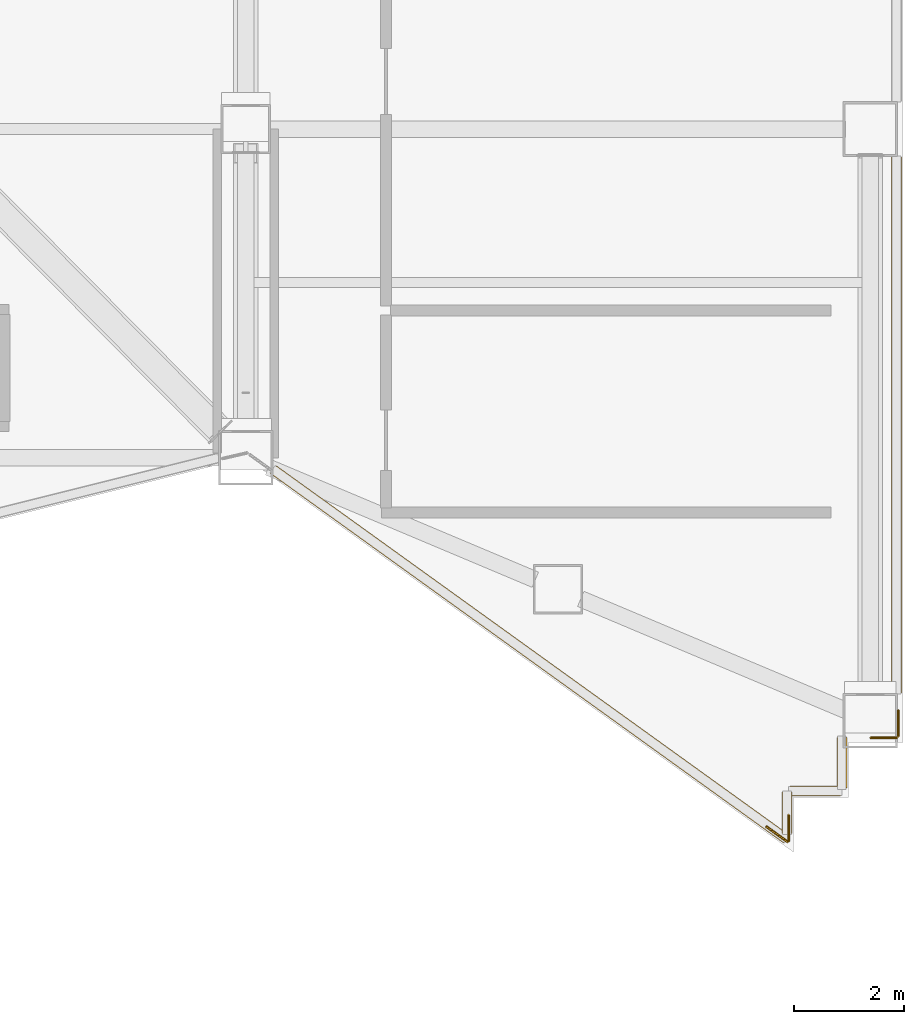
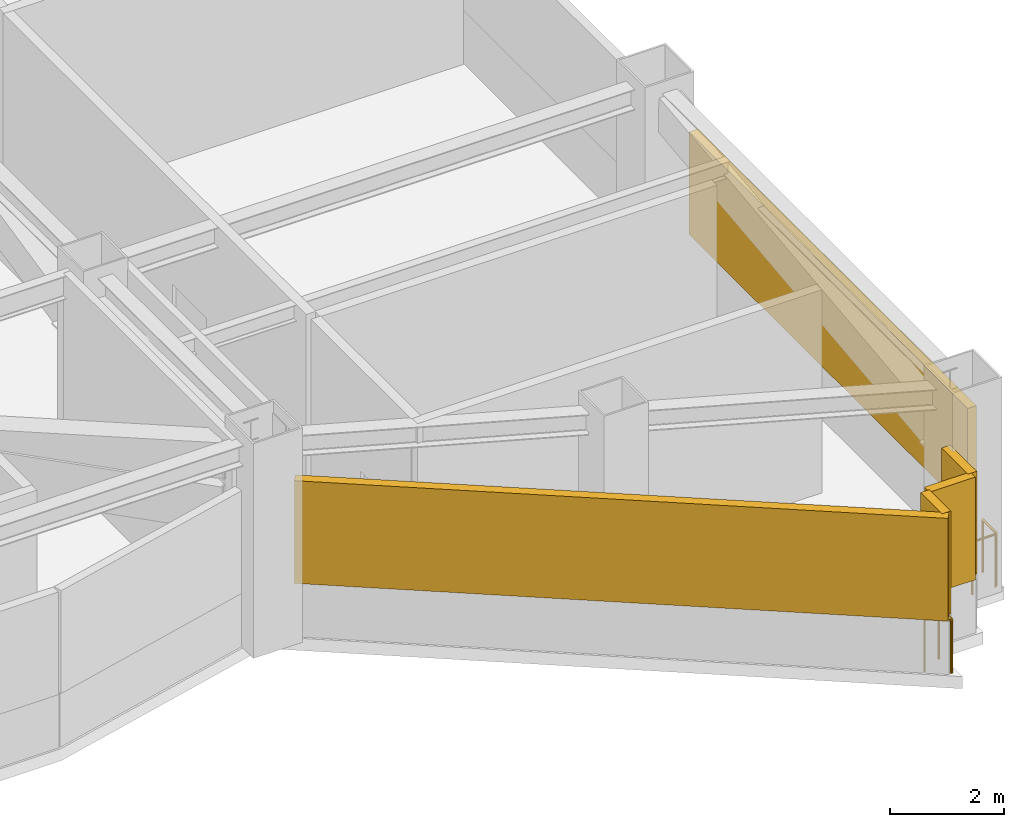
# One storey, part 20 of 24: 5 shading devices, 4 railings.
"""IFC4 building model written with IfcOpenShell, lengths in metres."""

from ifc_helpers import new_model, si_unit, direction, frame, origin, origin_2d, place, context, subcontext, project, spatial, rectangle, circle, extrude, material, type_object, element, save


model = new_model("IFC4")

# Units and contexts
model_context = context("Model", 3, precision=1e-05, world=origin(), true_north=direction((0.0, 1.0)))
body_context = subcontext(model_context, "Body", "Model", "MODEL_VIEW")
ifc_project = project(units=[si_unit("LENGTHUNIT", "METRE"), si_unit("AREAUNIT", "SQUARE_METRE"), si_unit("VOLUMEUNIT", "CUBIC_METRE"), si_unit("PLANEANGLEUNIT", "RADIAN"), si_unit("MASSUNIT", "GRAM", prefix="KILO")], contexts=[model_context])

# Site, building, storey
site_placement = place(None, origin())
site = spatial("IfcSite", under=ifc_project, at=site_placement, CompositionType="ELEMENT")
building_placement = place(site_placement, origin())
building = spatial("IfcBuilding", under=site, at=building_placement, Name="Haolan Belvedere Tower", CompositionType="ELEMENT")
storey_placement = place(building_placement, frame((0.0, 0.0, 160.0)))
storey = spatial("IfcBuildingStorey", under=building, at=storey_placement, Name="L40", CompositionType="ELEMENT", Elevation=160.0)

# Railings
ifc_material_1 = material(Name="Galvanised powder-coated steel guardrail", Category="steel")
railing_type = type_object("IfcRailingType", Name="RL-REF-GRD-1150", PredefinedType="GUARDRAIL", material=ifc_material_1)
railing_1_placement = place(storey_placement, frame((62.7099609375, 15.07568359375, 0.0)))
element("IfcRailing", 1, at=railing_1_placement, inside=storey, type_object=railing_type, Name="L40 refuge corner safety guardrail 4A", PredefinedType="GUARDRAIL", context=body_context, shape_type="SweptSolid", body=[
    extrude(circle(Radius=0.02392578125, at=origin_2d()), frame((0.0, 0.0, 1.1259765625), z_axis=(0.0, -1.0, 0.0), x_axis=(1.0, 0.0, 0.0)), (0.0, 0.0, 1.0), 0.469970703125),
    extrude(circle(Radius=0.02099609375, at=origin_2d()), origin(), (0.0, 0.0, 1.0), 1.101806640625),
    extrude(circle(Radius=0.02099609375, at=origin_2d()), frame((0.0, -0.469970703125, 0.0)), (0.0, 0.0, 1.0), 1.101806640625),
])
railing_2_placement = place(storey_placement, frame((62.685791015625, 14.59326171875, 0.0)))
element("IfcRailing", 2, at=railing_2_placement, inside=storey, type_object=railing_type, Name="L40 refuge corner safety guardrail 4B", PredefinedType="GUARDRAIL", context=body_context, shape_type="SweptSolid", body=[
    extrude(circle(Radius=0.02392578125, at=origin_2d()), frame((0.0, 0.0, 1.1259765625), z_axis=(-0.811622975054, 0.584181603925, 0.0), x_axis=(-0.584181603925, -0.811622975054, 0.0)), (0.0, 0.0, 1.0), 0.47021484375),
    extrude(circle(Radius=0.02099609375, at=origin_2d()), origin(), (0.0, 0.0, 1.0), 1.101806640625),
    extrude(circle(Radius=0.02099609375, at=origin_2d()), frame((-0.381591796875, 0.274658203125, 0.0)), (0.0, 0.0, 1.0), 1.101806640625),
])
railing_3_placement = place(storey_placement, frame((64.7099609375, 16.989990234375, 0.0)))
element("IfcRailing", 3, at=railing_3_placement, inside=storey, type_object=railing_type, Name="L40 refuge corner safety guardrail 5A", PredefinedType="GUARDRAIL", context=body_context, shape_type="SweptSolid", body=[
    extrude(circle(Radius=0.02392578125, at=origin_2d()), frame((0.0, 0.0, 1.1259765625), z_axis=(0.0, -1.0, 0.0), x_axis=(1.0, 0.0, 0.0)), (0.0, 0.0, 1.0), 0.469970703125),
    extrude(circle(Radius=0.02099609375, at=origin_2d()), origin(), (0.0, 0.0, 1.0), 1.101806640625),
    extrude(circle(Radius=0.02099609375, at=origin_2d()), frame((0.0, -0.469970703125, 0.0)), (0.0, 0.0, 1.0), 1.101806640625),
])
railing_4_placement = place(storey_placement, frame((64.679931640625, 16.489990234375, 0.0)))
element("IfcRailing", 4, at=railing_4_placement, inside=storey, type_object=railing_type, Name="L40 refuge corner safety guardrail 5B", PredefinedType="GUARDRAIL", context=body_context, shape_type="SweptSolid", body=[
    extrude(circle(Radius=0.02392578125, at=origin_2d()), frame((0.0, 0.0, 1.1259765625), z_axis=(-1.0, 0.0, 0.0), x_axis=(0.0, -1.0, 0.0)), (0.0, 0.0, 1.0), 0.469970703125),
    extrude(circle(Radius=0.02099609375, at=origin_2d()), origin(), (0.0, 0.0, 1.0), 1.101806640625),
    extrude(circle(Radius=0.02099609375, at=origin_2d()), frame((-0.469970703125, 0.0, 0.0)), (0.0, 0.0, 1.0), 1.101806640625),
])

# Shading devices
ifc_material_2 = material(Name="Anodised champagne-silver aluminium 6063-T6", Category="aluminium")
shading_device_type = type_object("IfcShadingDeviceType", Name="SHD-LOUV-180", PredefinedType="JALOUSIE", material=ifc_material_2)
shading_device_1_placement = place(storey_placement, frame((57.986083984375, 18.013916015625, 1.14990234375), z_axis=(0.0, 0.0, 1.0), x_axis=(0.811533191666, -0.584306322766, 0.0)))
element("IfcShadingDevice", 5, at=shading_device_1_placement, inside=storey, type_object=shading_device_type, Name="L40 refuge storm-proof louvre bank 9.1", PredefinedType="JALOUSIE", context=body_context, shape_type="SweptSolid", body=[
    extrude(rectangle(XDim=11.5283203125, YDim=0.179931640625, at=origin_2d()), origin(), (0.0, 0.0, 1.0), 2.199951171875),
])
shading_device_2_placement = place(storey_placement, frame((62.679931640625, 15.1220703125, 1.14990234375), z_axis=(0.0, 0.0, 1.0), x_axis=(0.0, 1.0, 0.0)))
element("IfcShadingDevice", 6, at=shading_device_2_placement, inside=storey, type_object=shading_device_type, Name="L40 refuge storm-proof louvre bank 10.1", PredefinedType="JALOUSIE", context=body_context, shape_type="SweptSolid", body=[
    extrude(rectangle(XDim=0.755615234375, YDim=0.179931640625, at=origin_2d()), origin(), (0.0, 0.0, 1.0), 2.199951171875),
])
for number, where, z_axis, x_axis, name in (
    (7, (63.195068359375, 15.52001953125, 1.14990234375), (0.0, 0.0, 1.0), (1.0, 0.0, 0.0), "L40 refuge storm-proof louvre bank 11.1"),
    (8, (63.679931640625, 16.034912109375, 1.14990234375), (0.0, 0.0, 1.0), (0.0, 1.0, 0.0), "L40 refuge storm-proof louvre bank 12.1"),
):
    element("IfcShadingDevice", number, at=place(storey_placement, frame(where, z_axis=z_axis, x_axis=x_axis)), inside=storey, type_object=shading_device_type, Name=name, PredefinedType="JALOUSIE", context=body_context, shape_type="SweptSolid", body=[
        extrude(rectangle(XDim=0.929931640625, YDim=0.179931640625, at=origin_2d()), origin(), (0.0, 0.0, 1.0), 2.199951171875),
    ])
shading_device_3_placement = place(storey_placement, frame((64.679931640625, 22.199951171875, 1.14990234375), z_axis=(0.0, 0.0, 1.0), x_axis=(0.0, 1.0, 0.0)))
element("IfcShadingDevice", 9, at=shading_device_3_placement, inside=storey, type_object=shading_device_type, Name="L40 refuge storm-proof louvre bank 14.1", PredefinedType="JALOUSIE", context=body_context, shape_type="SweptSolid", body=[
    extrude(rectangle(XDim=9.77587890625, YDim=0.179931640625, at=origin_2d()), origin(), (0.0, 0.0, 1.0), 2.199951171875),
])

save(model, "model.ifc")
